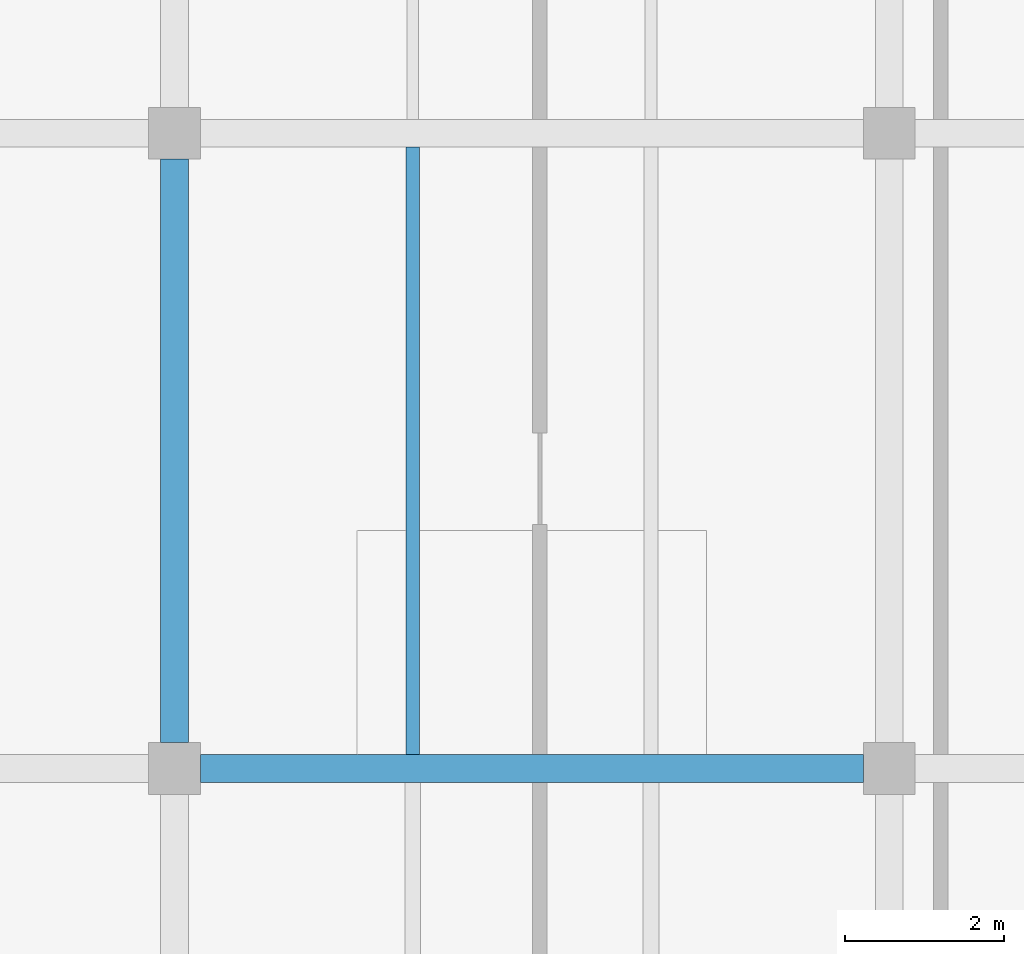
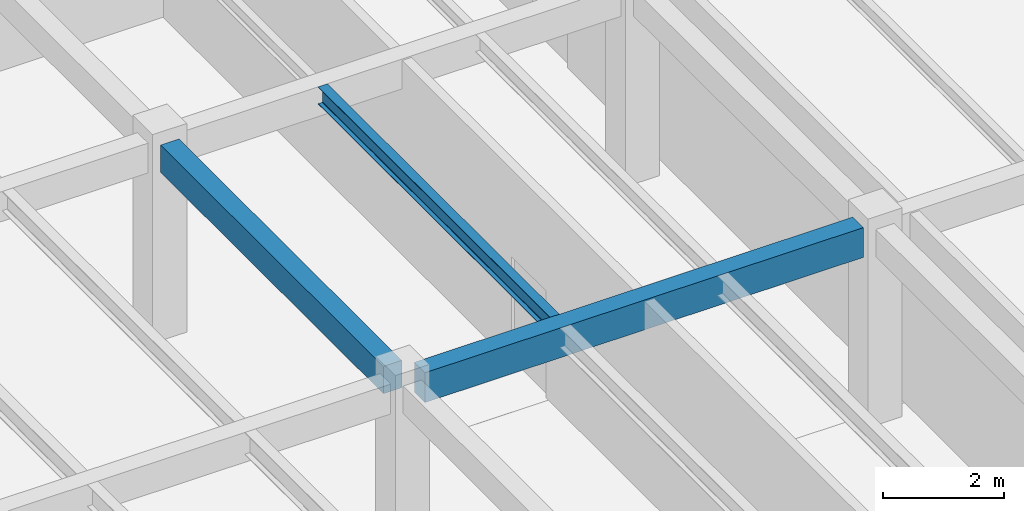
# One storey, part 40 of 71: 3 beams.
"""IFC4 building model written with IfcOpenShell, lengths in metres."""

from ifc_helpers import new_model, si_unit, derived_unit, direction, frame, origin, origin_2d, place, context, subcontext, project, spatial, rectangle, i_section, extrude, material, material_profile, profile_set, type_object, element, save


model = new_model("IFC4")

# Units and contexts
model_context = context("Model", 3, precision=1e-05, world=origin(), true_north=direction((0.0, 1.0)))
body_context = subcontext(model_context, "Body", "Model", "MODEL_VIEW")
ifc_project = project(units=[si_unit("LENGTHUNIT", "METRE"), si_unit("AREAUNIT", "SQUARE_METRE"), si_unit("VOLUMEUNIT", "CUBIC_METRE"), si_unit("PLANEANGLEUNIT", "RADIAN"), si_unit("MASSUNIT", "GRAM", prefix="KILO"), derived_unit("THERMALTRANSMITTANCEUNIT", [(si_unit("MASSUNIT", "GRAM", prefix="KILO"), 1), (si_unit("TIMEUNIT", "SECOND"), -3), (si_unit("THERMODYNAMICTEMPERATUREUNIT", "KELVIN"), -1)])], contexts=[model_context])

# Site, building, storey
site_placement = place(None, origin())
site = spatial("IfcSite", under=ifc_project, at=site_placement, CompositionType="ELEMENT")
building_placement = place(site_placement, origin())
building = spatial("IfcBuilding", under=site, at=building_placement, Name="Zhenchuan Archway Interchange", CompositionType="ELEMENT")
storey_placement = place(building_placement, frame((0.0, 0.0, 18.60009765625)))
storey = spatial("IfcBuildingStorey", under=building, at=storey_placement, Name="L04", CompositionType="ELEMENT", Elevation=18.60009765625)

# Beams
ifc_material_1 = material(Name="Concrete C40", Category="concrete")
ifc_material_profile_1 = material_profile(ifc_material_1, rectangle(XDim=0.35009765625, YDim=0.550048828125, at=origin_2d()), Name="RC 350x550")
ifc_profile_set_1 = profile_set([ifc_material_profile_1], Name="Concrete C40")
beam_type_1 = type_object("IfcBeamType", Name="BM_RC_350x550", PredefinedType="BEAM", material=ifc_profile_set_1)
beam_1_placement = place(storey_placement, frame((153.0, 72.324951171875, 3.664794921875), z_axis=(0.0, 1.0, 0.0), x_axis=(-1.0, 0.0, 0.0)))
element("IfcBeam", 1, at=beam_1_placement, inside=storey, type_object=beam_type_1, Name="Beam 18:K-L (L04)", PredefinedType="BEAM", context=body_context, shape_type="SweptSolid", body=[
    extrude(rectangle(XDim=0.35009765625, YDim=0.550048828125, at=origin_2d()), origin(), (0.0, 0.0, 1.0), 7.35009765625),
])
ifc_material_profile_2 = material_profile(ifc_material_1, rectangle(XDim=0.35009765625, YDim=0.60009765625, at=origin_2d()), Name="RC 350x600")
ifc_profile_set_2 = profile_set([ifc_material_profile_2], Name="Concrete C40")
beam_type_2 = type_object("IfcBeamType", Name="BM_RC_350x600", PredefinedType="BEAM", material=ifc_profile_set_2)
beam_2_placement = place(storey_placement, frame((153.324951171875, 72.0, 3.639892578125), z_axis=(1.0, 0.0, 0.0), x_axis=(0.0, 1.0, 0.0)))
element("IfcBeam", 2, at=beam_2_placement, inside=storey, type_object=beam_type_2, Name="Beam K:18-19 (L04)", PredefinedType="BEAM", context=body_context, shape_type="SweptSolid", body=[
    extrude(rectangle(XDim=0.35009765625, YDim=0.60009765625, at=origin_2d()), origin(), (0.0, 0.0, 1.0), 8.35009765625),
])
ifc_material_2 = material(Name="Steel Q355", Category="steel")
ifc_material_profile_3 = material_profile(ifc_material_2, i_section(OverallWidth=0.175048828125, OverallDepth=0.35009765625, WebThickness=0.007080078125, FlangeThickness=0.010986328125, FilletRadius=0.013916015625, at=origin_2d()), Name="HN 350x175")
ifc_profile_set_3 = profile_set([ifc_material_profile_3], Name="Steel Q355")
beam_type_3 = type_object("IfcBeamType", Name="JST_STL_HN350", PredefinedType="JOIST", material=ifc_profile_set_3)
beam_3_placement = place(storey_placement, frame((156.0, 72.175048828125, 3.764892578125), z_axis=(0.0, 1.0, 0.0), x_axis=(-1.0, 0.0, 0.0)))
element("IfcBeam", 3, at=beam_3_placement, inside=storey, type_object=beam_type_3, Name="Secondary joist 18-19/K-L #1 (L04)", PredefinedType="JOIST", context=body_context, shape_type="SweptSolid", body=[
    extrude(i_section(OverallWidth=0.175048828125, OverallDepth=0.35009765625, WebThickness=0.007080078125, FlangeThickness=0.010986328125, FilletRadius=0.013916015625, at=origin_2d()), origin(), (0.0, 0.0, 1.0), 7.64990234375),
])

save(model, "model.ifc")
